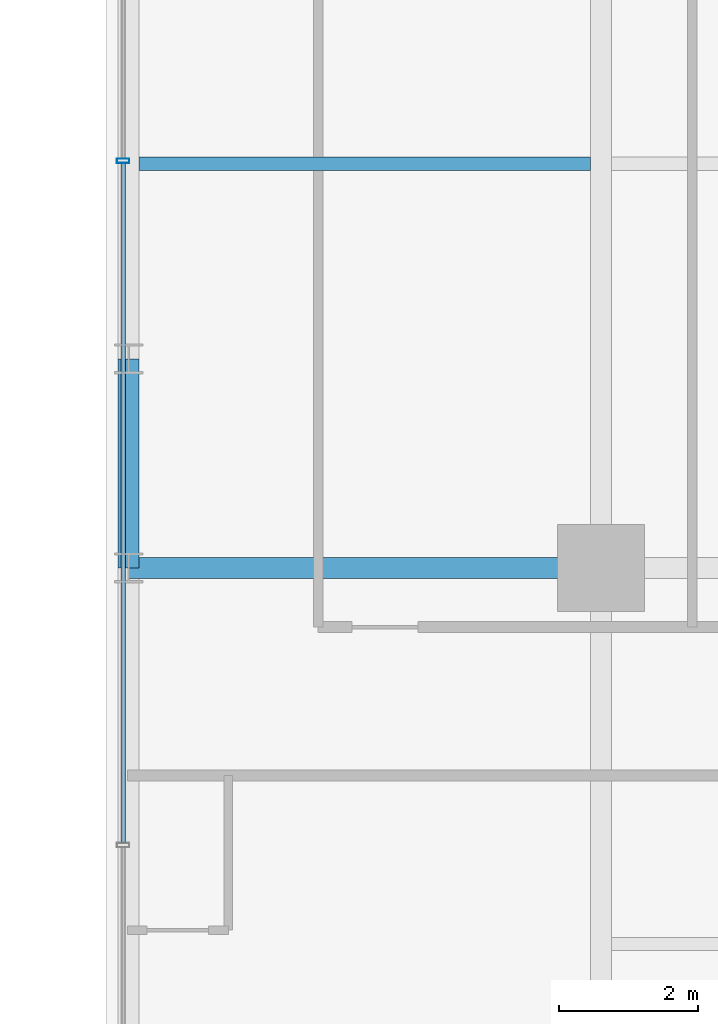
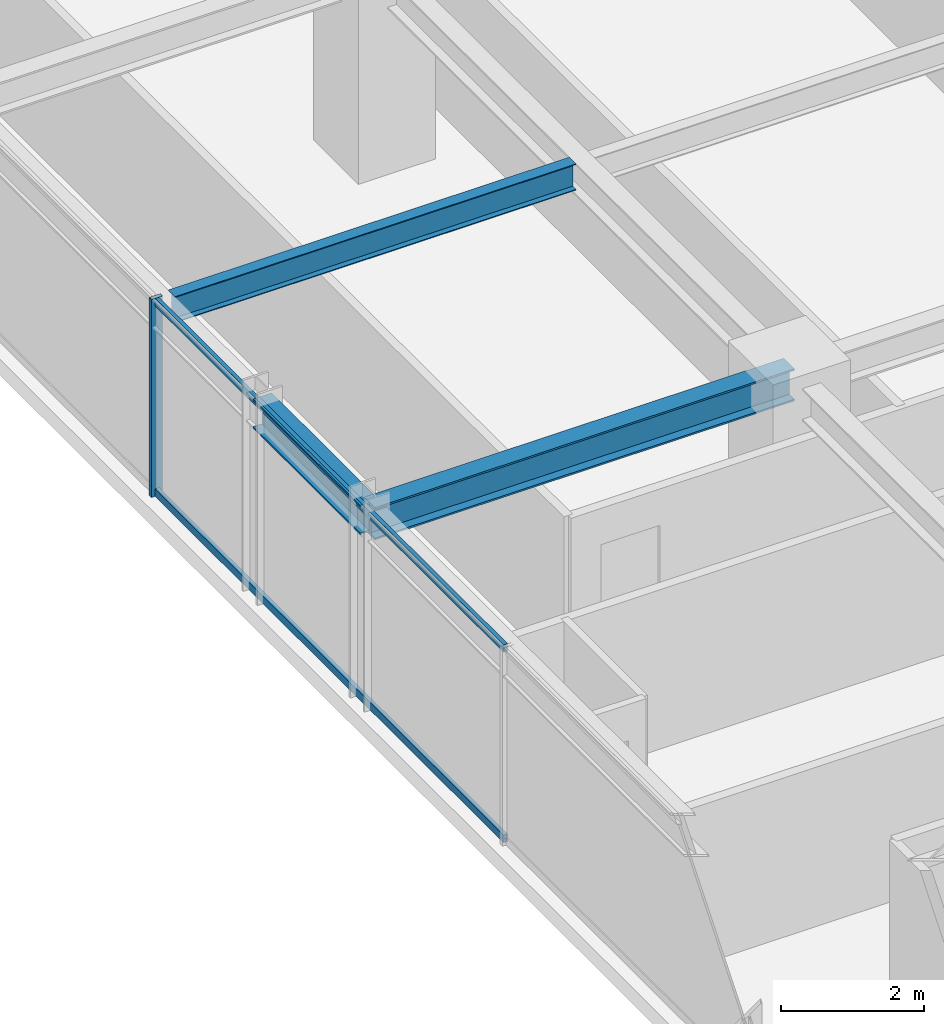
# One storey, part 17 of 32: 3 beams, 3 members, 1 element without a shape of its own.
"""IFC4 building model written with IfcOpenShell, lengths in metres."""

import ifcopenshell
import ifcopenshell.guid

model = None  # the IFC model being written
_history = None  # IfcOwnerHistory: only IFC2X3 demands one
_inside = {}  # id of a spatial element -> (the spatial element, [elements in it])
_under = {}  # id of a project, library or spatial element -> (it, [spatial elements below it])
_declared = {}  # id of a project -> (the project, [libraries it declares])
_typed = {}  # id of a type object -> (the type object, [elements of that type])
_made_of = {}  # id of a material, layer set ... -> (it, [elements and type objects made of it])


def new_model(schema):
    """Start an empty IFC model of exactly this schema.

    Asked for "IFC4X3", IfcOpenShell would pick the latest addendum, in which some entities
    have other attributes; the version numbers below select the first issue.
    IFC2X3 requires an IfcOwnerHistory on every rooted entity: one is made here for all.
    """
    global model, _history
    if schema == "IFC4X3":
        model = ifcopenshell.file(schema_version=(4, 3, 0, 0))
    else:
        model = ifcopenshell.file(schema=schema)
    _inside.clear()
    _under.clear()
    _declared.clear()
    _typed.clear()
    _made_of.clear()
    _history = None
    if model.schema == "IFC2X3":
        org = make("IfcOrganization", Name="unknown")
        user = make(
            "IfcPersonAndOrganization",
            ThePerson=make("IfcPerson", FamilyName="unknown"),
            TheOrganization=org,
        )
        app = make(
            "IfcApplication",
            ApplicationDeveloper=org,
            Version="unknown",
            ApplicationFullName="unknown",
            ApplicationIdentifier="unknown",
        )
        _history = make(
            "IfcOwnerHistory",
            OwningUser=user,
            OwningApplication=app,
            ChangeAction="ADDED",
            CreationDate=0,
        )
    return model


def make(cls, **values):
    """One entity of the class cls with the attributes given. An attribute that is None is left unset."""
    return model.create_entity(
        cls, **{name: value for name, value in values.items() if value is not None}
    )


def rooted(cls, **values):
    """An entity with a GlobalId (a new one), such as an element, a storey or a relation."""
    return make(cls, GlobalId=ifcopenshell.guid.new(), OwnerHistory=_history, **values)


def si_unit(unit_type, name, prefix=None):
    """IfcSIUnit, for example si_unit("LENGTHUNIT", "METRE", prefix="MILLI")."""
    return make("IfcSIUnit", UnitType=unit_type, Prefix=prefix, Name=name)


def assignment(units):
    """IfcUnitAssignment: the units of a project."""
    return None if units is None else make("IfcUnitAssignment", Units=units)


def point(xyz):
    """IfcCartesianPoint."""
    return None if xyz is None else make("IfcCartesianPoint", Coordinates=xyz)


def direction(xyz):
    """IfcDirection."""
    return None if xyz is None else make("IfcDirection", DirectionRatios=xyz)


def frame(location, z_axis=None, x_axis=None):
    """IfcAxis2Placement3D, a coordinate frame: its origin and axes. An axis left out is left unset."""
    return make(
        "IfcAxis2Placement3D",
        Location=point(location),
        Axis=direction(z_axis),
        RefDirection=direction(x_axis),
    )


def frame_2d(location, x_axis=None):
    """IfcAxis2Placement2D, a coordinate frame in the plane: its origin and x axis."""
    return make(
        "IfcAxis2Placement2D", Location=point(location), RefDirection=direction(x_axis)
    )


def origin():
    """The frame at (0, 0, 0) with its axes left unset."""
    return frame((0.0, 0.0, 0.0))


def origin_2d():
    """The frame at (0, 0) in the plane with its x axis left unset."""
    return frame_2d((0.0, 0.0))


def place(relative_to, where):
    """IfcLocalPlacement: puts the frame where relative to a parent placement (None: the world)."""
    return make(
        "IfcLocalPlacement", PlacementRelTo=relative_to, RelativePlacement=where
    )


def context(
    kind, dimensions, precision=None, world=None, true_north=None, identifier=None
):
    """IfcGeometricRepresentationContext, for example the 3D "Model" context."""
    return make(
        "IfcGeometricRepresentationContext",
        ContextIdentifier=identifier,
        ContextType=kind,
        CoordinateSpaceDimension=dimensions,
        Precision=precision,
        WorldCoordinateSystem=world,
        TrueNorth=true_north,
    )


def subcontext(parent, identifier, kind, view, scale=None):
    """IfcGeometricRepresentationSubContext, for example "Body" below "Model"."""
    return make(
        "IfcGeometricRepresentationSubContext",
        ContextIdentifier=identifier,
        ContextType=kind,
        ParentContext=parent,
        TargetScale=scale,
        TargetView=view,
    )


def project(units=None, contexts=None):
    """IfcProject with its units and contexts."""
    return rooted(
        "IfcProject",
        Name="project",
        RepresentationContexts=contexts,
        UnitsInContext=assignment(units),
    )


def spatial(cls, under=None, at=None, **own):
    """A site, building, storey or space (cls), placed at a placement, below another one or the project."""
    s = rooted(cls, ObjectPlacement=at, **own)
    if under is not None:
        _under.setdefault(under.id(), (under, []))[1].append(s)
    return s


def profile(cls, at=None, kind="AREA", **sizes):
    """A parametric profile (cls). Its sizes go by their IFC names, for example OverallWidth=200.0."""
    return make(cls, ProfileType=kind, Position=at, **sizes)


def hollow_rectangle(**sizes):
    """IfcRectangleHollowProfileDef."""
    return profile("IfcRectangleHollowProfileDef", **sizes)


def i_section(**sizes):
    """IfcIShapeProfileDef."""
    return profile("IfcIShapeProfileDef", **sizes)


def extrude(swept, where, along, depth):
    """IfcExtrudedAreaSolid: the profile swept, set in the frame where, extruded along a direction by depth."""
    return make(
        "IfcExtrudedAreaSolid",
        SweptArea=swept,
        Position=where,
        ExtrudedDirection=direction(along),
        Depth=depth,
    )


def shape(context_of_items, identifier, shape_type, items):
    """IfcShapeRepresentation: the items that make up one representation, for example the "Body"."""
    return make(
        "IfcShapeRepresentation",
        ContextOfItems=context_of_items,
        RepresentationIdentifier=identifier,
        RepresentationType=shape_type,
        Items=items,
    )


def source(mapping_origin, context_of_items, identifier, shape_type, items):
    """IfcRepresentationMap: a shape defined once, which mapped items show again and again."""
    return make(
        "IfcRepresentationMap",
        MappingOrigin=mapping_origin,
        MappedRepresentation=shape(context_of_items, identifier, shape_type, items),
    )


def transform(
    local_origin,
    x_axis=None,
    y_axis=None,
    z_axis=None,
    scale=None,
    scale2=None,
    scale3=None,
    uniform=True,
):
    """IfcCartesianTransformationOperator3D, or its non-uniform kind. x_axis, y_axis, z_axis: its Axis1, 2, 3."""
    if uniform:
        return make(
            "IfcCartesianTransformationOperator3D",
            Axis1=direction(x_axis),
            Axis2=direction(y_axis),
            LocalOrigin=point(local_origin),
            Scale=scale,
            Axis3=direction(z_axis),
        )
    return make(
        "IfcCartesianTransformationOperator3DnonUniform",
        Axis1=direction(x_axis),
        Axis2=direction(y_axis),
        LocalOrigin=point(local_origin),
        Scale=scale,
        Axis3=direction(z_axis),
        Scale2=scale2,
        Scale3=scale3,
    )


def mapped(mapping_source, mapping_target):
    """IfcMappedItem: shows the shape of a source again, moved by a transform."""
    return make(
        "IfcMappedItem", MappingSource=mapping_source, MappingTarget=mapping_target
    )


def material(Name=None, Category=None):
    """IfcMaterial."""
    return make("IfcMaterial", Name=Name, Category=Category)


def material_profile(
    of_material, cross_section, Name=None, Category=None, Priority=None
):
    """IfcMaterialProfile: a cross section and its material."""
    return make(
        "IfcMaterialProfile",
        Name=Name,
        Material=of_material,
        Profile=cross_section,
        Priority=Priority,
        Category=Category,
    )


def profile_set(profiles, Name=None, composite=None):
    """IfcMaterialProfileSet."""
    return make(
        "IfcMaterialProfileSet",
        Name=Name,
        MaterialProfiles=profiles,
        CompositeProfile=composite,
    )


def made_of(thing, what):
    """Note that an element or type object is made of a material, layer set ...; save() writes the relation."""
    if what is not None:
        _made_of.setdefault(what.id(), (what, []))[1].append(thing)
    return thing


def type_object(cls, material=None, **own):
    """A type object (cls), such as IfcWallType, which elements share."""
    return made_of(rooted(cls, **own), material)


def element(
    cls,
    number,
    at=None,
    inside=None,
    cuts=None,
    type_object=None,
    material=None,
    context=None,
    identifier="Body",
    shape_type=None,
    held_by="IfcProductDefinitionShape",
    body=None,
    shapes=None,
    **own,
):
    """One element of the class cls, such as IfcWall. Its Tag is "e" and its number.

    at: its placement. inside: the storey or other place that contains it. cuts: it is an
    opening in that element (IfcRelVoidsElement). A single representation is given by context,
    identifier, shape_type and body (its items); several are given by shapes. held_by: the class
    of the entity that holds the representations. save() writes the other relations.
    """
    e = rooted(cls, Tag="e%d" % number, ObjectPlacement=at, **own)
    if body is not None:
        shapes = [shape(context, identifier, shape_type, body)]
    if shapes is not None:
        e.Representation = make(held_by, Representations=shapes)
    if inside is not None:
        _inside.setdefault(inside.id(), (inside, []))[1].append(e)
    if cuts is not None:
        rooted(
            "IfcRelVoidsElement", RelatingBuildingElement=cuts, RelatedOpeningElement=e
        )
    if type_object is not None:
        _typed.setdefault(type_object.id(), (type_object, []))[1].append(e)
    return made_of(e, material)


def aggregate(whole, parts):
    """IfcRelAggregates: a whole, such as a stair, and the parts it consists of."""
    return rooted("IfcRelAggregates", RelatingObject=whole, RelatedObjects=parts)


def save(model, path):
    """Write the relations noted so far, then the file.

    IfcRelAggregates (storeys below a building ...), IfcRelContainedInSpatialStructure (elements
    in a storey), IfcRelDefinesByType, IfcRelAssociatesMaterial and IfcRelDeclares: one each for
    every whole, place, type object, material and project.
    """
    for whole, parts in _under.values():
        aggregate(whole, parts)
    for where, things in _inside.values():
        rooted(
            "IfcRelContainedInSpatialStructure",
            RelatedElements=things,
            RelatingStructure=where,
        )
    for kind, things in _typed.values():
        rooted("IfcRelDefinesByType", RelatedObjects=things, RelatingType=kind)
    for what, things in _made_of.values():
        rooted("IfcRelAssociatesMaterial", RelatedObjects=things, RelatingMaterial=what)
    for by, libraries in _declared.values():
        rooted("IfcRelDeclares", RelatingContext=by, RelatedDefinitions=libraries)
    model.write(path)


model = new_model("IFC4")

# Units and contexts
model_context = context("Model", 3, precision=1e-05, world=origin(), true_north=direction((0.0, 1.0)))
body_context = subcontext(model_context, "Body", "Model", "MODEL_VIEW")
ifc_project = project(units=[si_unit("LENGTHUNIT", "METRE"), si_unit("AREAUNIT", "SQUARE_METRE"), si_unit("VOLUMEUNIT", "CUBIC_METRE"), si_unit("PLANEANGLEUNIT", "RADIAN"), si_unit("MASSUNIT", "GRAM", prefix="KILO")], contexts=[model_context])

# Site, building, storey
site_placement = place(None, origin())
site = spatial("IfcSite", under=ifc_project, at=site_placement, CompositionType="ELEMENT")
building_placement = place(site_placement, origin())
building = spatial("IfcBuilding", under=site, at=building_placement, Name="Nahalor Promenade Grand Hotel", CompositionType="ELEMENT")
storey_placement = place(building_placement, frame((0.0, 0.0, 124.800048828125)))
storey = spatial("IfcBuildingStorey", under=building, at=storey_placement, Name="L31", CompositionType="ELEMENT", Elevation=124.800048828125)

# Beams
ifc_material_1 = material(Name="Steel S355JR", Category="steel")
ifc_material_profile_1 = material_profile(ifc_material_1, i_section(OverallWidth=0.3, OverallDepth=0.5, WebThickness=0.0145, FlangeThickness=0.028, at=origin_2d()), Name="HEB 500")
ifc_profile_set_1 = profile_set([ifc_material_profile_1], Name="Steel S355JR")
beam_type_1 = type_object("IfcBeamType", Name="Beam-Spandrel-HEB500", PredefinedType="SPANDREL", material=ifc_profile_set_1)
shared_shape_1 = source(origin(), body_context, "Body", "SweptSolid", [
    extrude(i_section(OverallWidth=0.3, OverallDepth=0.5, WebThickness=0.0145, FlangeThickness=0.028, at=origin_2d()), origin(), (0.0, 0.0, 1.0), 3.0),
])
beam_1_placement = place(storey_placement, frame((-23.780029296875, 5.39990234375, 3.1298828125), z_axis=(0.0, 1.0, 0.0), x_axis=(-1.0, 0.0, 0.0)))
element("IfcBeam", 1, at=beam_1_placement, inside=storey, type_object=beam_type_1, Name="BM-L31-SP-W-3", PredefinedType="SPANDREL", context=body_context, shape_type="MappedRepresentation", body=[
    mapped(shared_shape_1, transform((0.0, 0.0, 0.0), scale=1.0)),
])
ifc_material_profile_2 = material_profile(ifc_material_1, i_section(OverallWidth=0.3, OverallDepth=0.55, WebThickness=0.015, FlangeThickness=0.029, at=origin_2d()), Name="HEB 550")
ifc_profile_set_2 = profile_set([ifc_material_profile_2], Name="Steel S355JR")
beam_type_2 = type_object("IfcBeamType", Name="Beam-Girder-HEB550", PredefinedType="BEAM", material=ifc_profile_set_2)
shared_shape_2 = source(origin(), body_context, "Body", "SweptSolid", [
    extrude(i_section(OverallWidth=0.3, OverallDepth=0.55, WebThickness=0.015, FlangeThickness=0.029, at=origin_2d()), origin(), (0.0, 0.0, 1.0), 6.780029296875),
])
beam_2_placement = place(storey_placement, frame((-23.780029296875, 5.39990234375, 3.10498046875), z_axis=(1.0, 0.0, 0.0), x_axis=(0.0, 1.0, 0.0)))
element("IfcBeam", 2, at=beam_2_placement, inside=storey, type_object=beam_type_2, Name="BM-L31-GX-2-0", PredefinedType="BEAM", context=body_context, shape_type="MappedRepresentation", body=[
    mapped(shared_shape_2, transform((0.0, 0.0, 0.0), scale=1.0)),
])
ifc_material_profile_3 = material_profile(ifc_material_1, i_section(OverallWidth=0.19, OverallDepth=0.45, WebThickness=0.0094, FlangeThickness=0.0146, at=origin_2d()), Name="IPE 450")
ifc_profile_set_3 = profile_set([ifc_material_profile_3], Name="Steel S355JR")
beam_type_3 = type_object("IfcBeamType", Name="Beam-Joist-IPE450", PredefinedType="JOIST", material=ifc_profile_set_3)
shared_shape_3 = source(origin(), body_context, "Body", "SweptSolid", [
    extrude(i_section(OverallWidth=0.19, OverallDepth=0.45, WebThickness=0.0094, FlangeThickness=0.0146, at=origin_2d()), origin(), (0.0, 0.0, 1.0), 6.47998046875),
])
beam_3_placement = place(storey_placement, frame((-23.6298828125, 11.199951171875, 3.155029296875), z_axis=(1.0, 0.0, 0.0), x_axis=(0.0, 1.0, 0.0)))
element("IfcBeam", 3, at=beam_3_placement, inside=storey, type_object=beam_type_3, Name="BM-L31-JSW-1-0", PredefinedType="JOIST", context=body_context, shape_type="MappedRepresentation", body=[
    mapped(shared_shape_3, transform((0.0, 0.0, 0.0), scale=1.0)),
])

# Curtain wall, members
ifc_material_2 = material(Name="Anodised Bronze Aluminium EN AW-6063 T6", Category="aluminium")
curtain_wall_type = type_object("IfcCurtainWallType", Name="CW2 Typical Hotel Flush Bronze Unitised Curtain Wall", PredefinedType="USERDEFINED", material=ifc_material_2)
curtain_wall_placement = place(storey_placement, origin())
curtain_wall = element("IfcCurtainWall", 4, at=curtain_wall_placement, inside=storey, type_object=curtain_wall_type, Name="L31 Curtain Wall CW-L31-W-3", ObjectType="UNITISED_CURTAIN_WALL", PredefinedType="USERDEFINED")
ifc_material_profile_4 = material_profile(ifc_material_2, hollow_rectangle(XDim=0.065, YDim=0.18, WallThickness=0.004, at=origin_2d()), Name="CWM 65x180x4")
ifc_profile_set_4 = profile_set([ifc_material_profile_4], Name="Anodised Bronze Aluminium EN AW-6063 T6")
member_type_1 = type_object("IfcMemberType", Name="CWM2 Typical Bronze Mullion 65x180", PredefinedType="MULLION", material=ifc_profile_set_4)
shared_shape_4 = source(origin(), body_context, "Body", "SweptSolid", [
    extrude(hollow_rectangle(XDim=0.065, YDim=0.18, WallThickness=0.004, at=origin_2d()), origin(), (0.0, 0.0, 1.0), 3.3798828125),
])
member_1_placement = place(storey_placement, frame((-23.860107421875, 11.239990234375, 0.0), z_axis=(0.0, 0.0, 1.0), x_axis=(0.0, 1.0, 0.0)))
member_1 = element("IfcMember", 5, at=member_1_placement, type_object=member_type_1, Name="CW-L31-W-3 Mullion 2", PredefinedType="MULLION", context=body_context, shape_type="MappedRepresentation", body=[
    mapped(shared_shape_4, transform((0.0, 0.0, 0.0), scale=1.0)),
])
ifc_material_profile_5 = material_profile(ifc_material_2, hollow_rectangle(XDim=0.065, YDim=0.13, WallThickness=0.004, at=origin_2d()), Name="CWT 65x130x4")
ifc_profile_set_5 = profile_set([ifc_material_profile_5], Name="Anodised Bronze Aluminium EN AW-6063 T6")
member_type_2 = type_object("IfcMemberType", Name="CWT2 Typical Bronze Transom 65x130", PredefinedType="USERDEFINED", material=ifc_profile_set_5)
shared_shape_5 = source(origin(), body_context, "Body", "SweptSolid", [
    extrude(hollow_rectangle(XDim=0.065, YDim=0.13, WallThickness=0.004, at=origin_2d()), origin(), (0.0, 0.0, 1.0), 9.755126953125),
])
member_2_placement = place(storey_placement, frame((-23.860107421875, 1.452392578125, 0.06494140625), z_axis=(0.0, 1.0, 0.0), x_axis=(-1.0, 0.0, 0.0)))
member_2 = element("IfcMember", 6, at=member_2_placement, type_object=member_type_2, Name="CW-L31-W-3 Transom 1-0", ObjectType="TRANSOM", PredefinedType="USERDEFINED", context=body_context, shape_type="MappedRepresentation", body=[
    mapped(shared_shape_5, transform((0.0, 0.0, 0.0), scale=1.0)),
])
member_3_placement = place(storey_placement, frame((-23.860107421875, 1.452392578125, 3.31494140625), z_axis=(0.0, 1.0, 0.0), x_axis=(-1.0, 0.0, 0.0)))
member_3 = element("IfcMember", 7, at=member_3_placement, type_object=member_type_2, Name="CW-L31-W-3 Transom 1-1", ObjectType="TRANSOM", PredefinedType="USERDEFINED", context=body_context, shape_type="MappedRepresentation", body=[
    mapped(shared_shape_5, transform((0.0, 0.0, 0.0), scale=1.0)),
])
aggregate(curtain_wall, [member_1, member_2, member_3])

save(model, "model.ifc")
